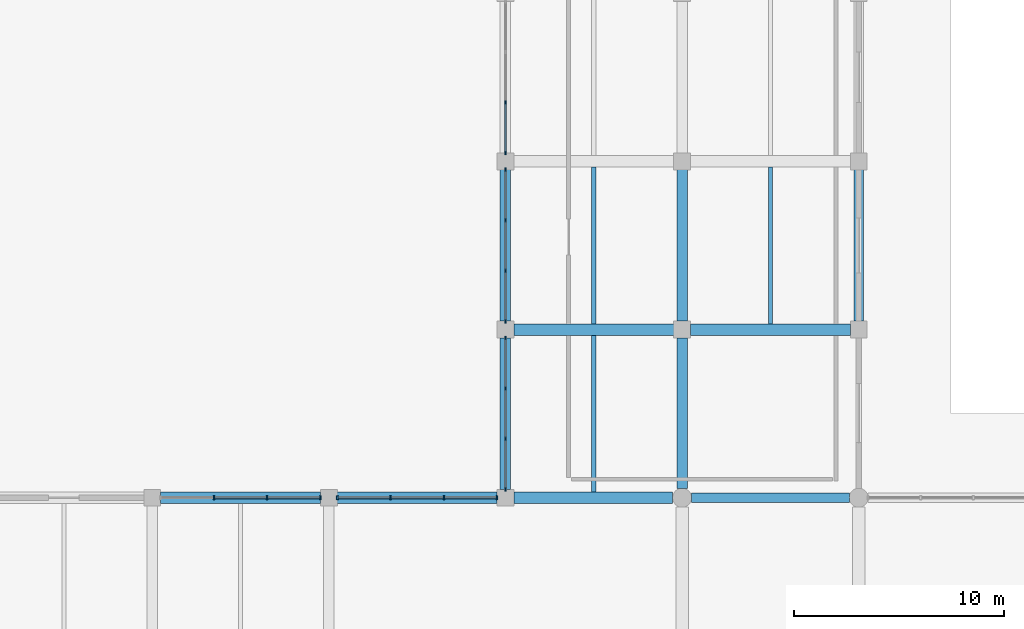
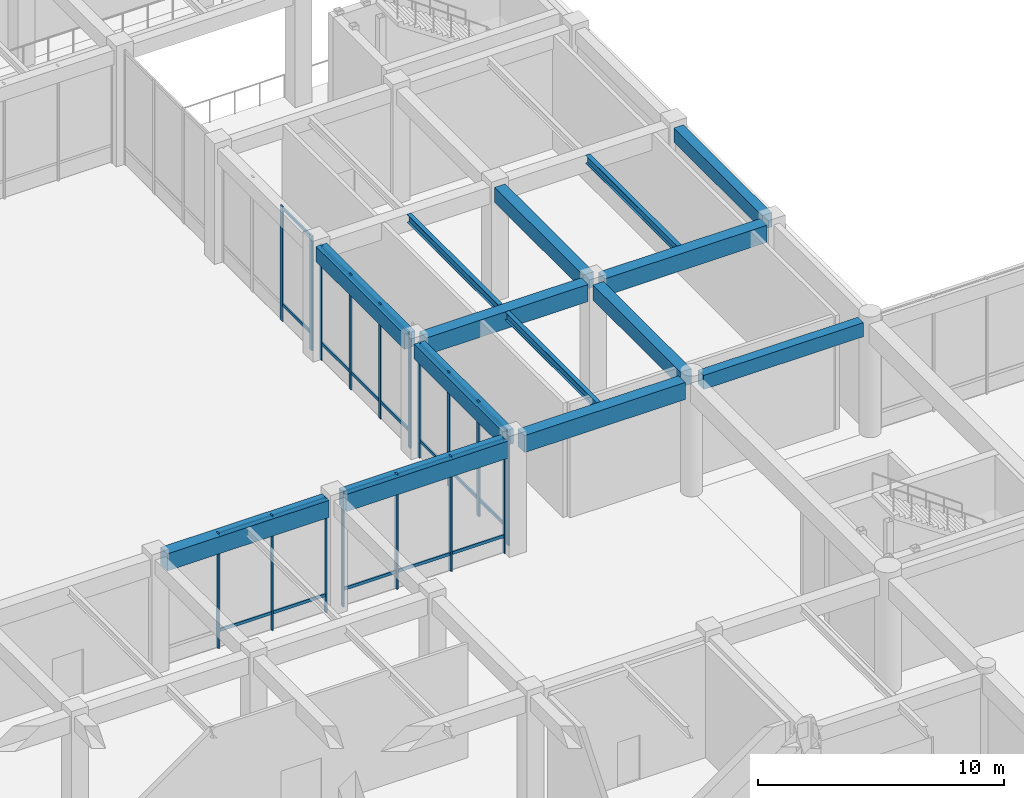
# One storey, part 26 of 76: 41 members, 14 beams, 5 elements without a shape of their own.
"""IFC4 building model written with IfcOpenShell, lengths in metres."""

from ifc_helpers import new_model, si_unit, direction, frame, origin, origin_2d, place, context, subcontext, project, spatial, rectangle, i_section, extrude, material, layer, layer_set, material_profile, profile_set, type_object, element, aggregate, save


model = new_model("IFC4")

# Units and contexts
model_context = context("Model", 3, precision=1e-05, world=origin(), true_north=direction((0.0, 1.0)))
body_context = subcontext(model_context, "Body", "Model", "MODEL_VIEW")
ifc_project = project(units=[si_unit("LENGTHUNIT", "METRE"), si_unit("AREAUNIT", "SQUARE_METRE"), si_unit("VOLUMEUNIT", "CUBIC_METRE"), si_unit("PLANEANGLEUNIT", "RADIAN"), si_unit("MASSUNIT", "GRAM", prefix="KILO")], contexts=[model_context])

# Site, building, storey
site_placement = place(None, origin())
site = spatial("IfcSite", under=ifc_project, at=site_placement, CompositionType="ELEMENT")
building_placement = place(site_placement, origin())
building = spatial("IfcBuilding", under=site, at=building_placement, Name="Naruveol Harbour Congress Hotel", CompositionType="ELEMENT")
storey_placement = place(building_placement, origin())
storey = spatial("IfcBuildingStorey", under=building, at=storey_placement, Name="L00", CompositionType="ELEMENT", Elevation=0.0)

# Beams
ifc_material_1 = material(Name="Concrete C40/50", Category="concrete")
ifc_material_profile_1 = material_profile(ifc_material_1, rectangle(XDim=0.5, YDim=0.75, at=origin_2d()), Name="RCB-500x750")
ifc_profile_set_1 = profile_set([ifc_material_profile_1], Name="Concrete C40/50")
beam_type_1 = type_object("IfcBeamType", Name="RC FLOOR GIRDER 500X750", PredefinedType="BEAM", material=ifc_profile_set_1)
for number, where, z_axis, x_axis, name in (
    (1, (109.199951171875, 32.39599609375, 5.324951171875), (0.0, 1.0, 0.0), (-1.0, 0.0, 0.0), "Transverse girder L01 CB3"),
    (2, (109.199951171875, 40.39599609375, 5.324951171875), (0.0, 1.0, 0.0), (-1.0, 0.0, 0.0), "Transverse girder L01 CB3"),
):
    element("IfcBeam", number, at=place(storey_placement, frame(where, z_axis=z_axis, x_axis=x_axis)), inside=storey, type_object=beam_type_1, Name=name, PredefinedType="BEAM", context=body_context, shape_type="SweptSolid", body=[
        extrude(rectangle(XDim=0.5, YDim=0.75, at=origin_2d()), origin(), (0.0, 0.0, 1.0), 7.2080078125),
    ])
beam_1_placement = place(storey_placement, frame((117.60009765625, 32.446044921875, 5.324951171875), z_axis=(0.0, 1.0, 0.0), x_axis=(-1.0, 0.0, 0.0)))
element("IfcBeam", 3, at=beam_1_placement, inside=storey, type_object=beam_type_1, Name="Transverse girder L01 CB3", PredefinedType="BEAM", context=body_context, shape_type="SweptSolid", body=[
    extrude(rectangle(XDim=0.5, YDim=0.75, at=origin_2d()), origin(), (0.0, 0.0, 1.0), 7.157958984375),
])
beam_2_placement = place(storey_placement, frame((117.60009765625, 40.39599609375, 5.324951171875), z_axis=(0.0, 1.0, 0.0), x_axis=(-1.0, 0.0, 0.0)))
element("IfcBeam", 4, at=beam_2_placement, inside=storey, type_object=beam_type_1, Name="Transverse girder L01 CB3", PredefinedType="BEAM", context=body_context, shape_type="SweptSolid", body=[
    extrude(rectangle(XDim=0.5, YDim=0.75, at=origin_2d()), origin(), (0.0, 0.0, 1.0), 7.2080078125),
])
ifc_material_2 = material(Name="Concrete C40/50", Category="concrete")
ifc_material_profile_2 = material_profile(ifc_material_2, rectangle(XDim=0.550048828125, YDim=0.85009765625, at=origin_2d()), Name="RCB-550x850")
ifc_profile_set_2 = profile_set([ifc_material_profile_2], Name="Concrete C40/50")
beam_type_2 = type_object("IfcBeamType", Name="RC PRIMARY GIRDER 550X850", PredefinedType="BEAM", material=ifc_profile_set_2)
beam_3_placement = place(storey_placement, frame((92.7958984375, 32.0, 5.27490234375), z_axis=(1.0, 0.0, 0.0), x_axis=(0.0, 1.0, 0.0)))
element("IfcBeam", 5, at=beam_3_placement, inside=storey, type_object=beam_type_2, Name="Floor girder L01 CB2", PredefinedType="BEAM", context=body_context, shape_type="SweptSolid", body=[
    extrude(rectangle(XDim=0.550048828125, YDim=0.85009765625, at=origin_2d()), origin(), (0.0, 0.0, 1.0), 7.608154296875),
])
beam_4_placement = place(storey_placement, frame((101.196044921875, 32.0, 5.27490234375), z_axis=(1.0, 0.0, 0.0), x_axis=(0.0, 1.0, 0.0)))
element("IfcBeam", 6, at=beam_4_placement, inside=storey, type_object=beam_type_2, Name="Floor girder L01 CB2", PredefinedType="BEAM", context=body_context, shape_type="SweptSolid", body=[
    extrude(rectangle(XDim=0.550048828125, YDim=0.85009765625, at=origin_2d()), origin(), (0.0, 0.0, 1.0), 7.60791015625),
])
beam_5_placement = place(storey_placement, frame((109.595947265625, 32.0, 5.27490234375), z_axis=(1.0, 0.0, 0.0), x_axis=(0.0, 1.0, 0.0)))
element("IfcBeam", 7, at=beam_5_placement, inside=storey, type_object=beam_type_2, Name="Floor girder L01 CB2", PredefinedType="BEAM", context=body_context, shape_type="SweptSolid", body=[
    extrude(rectangle(XDim=0.550048828125, YDim=0.85009765625, at=origin_2d()), origin(), (0.0, 0.0, 1.0), 7.55810546875),
])
beam_6_placement = place(storey_placement, frame((109.595947265625, 40.0, 5.27490234375), z_axis=(1.0, 0.0, 0.0), x_axis=(0.0, 1.0, 0.0)))
element("IfcBeam", 8, at=beam_6_placement, inside=storey, type_object=beam_type_2, Name="Floor girder L01 CB2", PredefinedType="BEAM", context=body_context, shape_type="SweptSolid", body=[
    extrude(rectangle(XDim=0.550048828125, YDim=0.85009765625, at=origin_2d()), origin(), (0.0, 0.0, 1.0), 7.608154296875),
])
beam_7_placement = place(storey_placement, frame((117.99609375, 40.0, 5.27490234375), z_axis=(1.0, 0.0, 0.0), x_axis=(0.0, 1.0, 0.0)))
element("IfcBeam", 9, at=beam_7_placement, inside=storey, type_object=beam_type_2, Name="Floor girder L01 CB2", PredefinedType="BEAM", context=body_context, shape_type="SweptSolid", body=[
    extrude(rectangle(XDim=0.550048828125, YDim=0.85009765625, at=origin_2d()), origin(), (0.0, 0.0, 1.0), 7.60791015625),
])
ifc_material_3 = material(Name="Concrete C40/50", Category="concrete")
ifc_material_profile_3 = material_profile(ifc_material_3, rectangle(XDim=0.449951171875, YDim=0.699951171875, at=origin_2d()), Name="RCB-450x700")
ifc_profile_set_3 = profile_set([ifc_material_profile_3], Name="Concrete C40/50")
beam_type_3 = type_object("IfcBeamType", Name="RC SPANDREL BEAM 450X700", PredefinedType="SPANDREL", material=ifc_profile_set_3)
beam_8_placement = place(storey_placement, frame((126.0, 40.39599609375, 5.35009765625), z_axis=(0.0, 1.0, 0.0), x_axis=(-1.0, 0.0, 0.0)))
element("IfcBeam", 10, at=beam_8_placement, inside=storey, type_object=beam_type_3, Name="Transverse girder L01 SPB1", PredefinedType="SPANDREL", context=body_context, shape_type="SweptSolid", body=[
    extrude(rectangle(XDim=0.449951171875, YDim=0.699951171875, at=origin_2d()), origin(), (0.0, 0.0, 1.0), 7.2080078125),
])
beam_9_placement = place(storey_placement, frame((118.0458984375, 32.0, 5.35009765625), z_axis=(1.0, 0.0, 0.0), x_axis=(0.0, 1.0, 0.0)))
element("IfcBeam", 11, at=beam_9_placement, inside=storey, type_object=beam_type_3, Name="Hotel chord beam L01 SPB1", PredefinedType="SPANDREL", context=body_context, shape_type="SweptSolid", body=[
    extrude(rectangle(XDim=0.449951171875, YDim=0.699951171875, at=origin_2d()), origin(), (0.0, 0.0, 1.0), 7.508056640625),
])
ifc_material_4 = material(Name="Steel SN490", Category="steel")
ifc_material_profile_4 = material_profile(ifc_material_4, i_section(OverallWidth=0.199951171875, OverallDepth=0.39990234375, WebThickness=0.008056640625, FlangeThickness=0.012939453125, at=origin_2d()), Name="H-400x200x8x13")
ifc_profile_set_4 = profile_set([ifc_material_profile_4], Name="Steel SN490")
beam_type_4 = type_object("IfcBeamType", Name="STEEL SECONDARY JOIST H400", PredefinedType="JOIST", material=ifc_profile_set_4)
for number, where, z_axis, x_axis, name in (
    (12, (113.39990234375, 32.27099609375, 5.5), (0.0, 1.0, 0.0), (-1.0, 0.0, 0.0), "Secondary floor joist L01 SJ1"),
    (13, (113.39990234375, 40.27099609375, 5.5), (0.0, 1.0, 0.0), (-1.0, 0.0, 0.0), "Secondary floor joist L01 SJ1"),
    (14, (121.800048828125, 40.27099609375, 5.5), (0.0, 1.0, 0.0), (-1.0, 0.0, 0.0), "Secondary floor joist L01 SJ1"),
):
    element("IfcBeam", number, at=place(storey_placement, frame(where, z_axis=z_axis, x_axis=x_axis)), inside=storey, type_object=beam_type_4, Name=name, PredefinedType="JOIST", context=body_context, shape_type="SweptSolid", body=[
        extrude(i_section(OverallWidth=0.199951171875, OverallDepth=0.39990234375, WebThickness=0.008056640625, FlangeThickness=0.012939453125, at=origin_2d()), origin(), (0.0, 0.0, 1.0), 7.4580078125),
    ])

# Curtain wall, members
ifc_material_5 = material(Name="Low-E Curtain Wall System", Category="glass")
ifc_layer_1 = layer(ifc_material_5, 0.179931640625)
ifc_layer_set_1 = layer_set([ifc_layer_1], Name="Low-E Curtain Wall System")
curtain_wall_type_1 = type_object("IfcCurtainWallType", Name="UNITISED CURTAIN WALL CW-CTS-27 7600X5700", PredefinedType="USERDEFINED", material=ifc_layer_set_1)
curtain_wall_1_placement = place(storey_placement, origin())
curtain_wall_1 = element("IfcCurtainWall", 15, at=curtain_wall_1_placement, inside=storey, type_object=curtain_wall_type_1, Name="Unitised curtain wall CW-CTS-27 L00", ObjectType="UNITISED GLAZING", PredefinedType="USERDEFINED")
ifc_material_6 = material(Name="Anodised Aluminium 6063-T6", Category="aluminium")
ifc_material_profile_5 = material_profile(ifc_material_6, rectangle(XDim=0.074951171875, YDim=0.179931640625, at=origin_2d()), Name="ALU-75x180")
ifc_profile_set_5 = profile_set([ifc_material_profile_5], Name="Anodised Aluminium 6063-T6")
member_type_1 = type_object("IfcMemberType", Name="THERMAL ALUMINIUM MULLION 75X180", PredefinedType="MULLION", material=ifc_profile_set_5)
member_1_placement = place(storey_placement, frame((95.333251953125, 32.0, 0.0), z_axis=(0.0, 0.0, 1.0), x_axis=(1.0, 0.0, 0.0)))
member_1 = element("IfcMember", 16, at=member_1_placement, type_object=member_type_1, Name="Curtain wall mullion CW-L00-0060-M1", PredefinedType="MULLION", context=body_context, shape_type="SweptSolid", body=[
    extrude(rectangle(XDim=0.074951171875, YDim=0.179931640625, at=origin_2d()), origin(), (0.0, 0.0, 1.0), 5.699951171875),
])
member_2_placement = place(storey_placement, frame((97.86669921875, 32.0, 0.0), z_axis=(0.0, 0.0, 1.0), x_axis=(1.0, 0.0, 0.0)))
member_2 = element("IfcMember", 17, at=member_2_placement, type_object=member_type_1, Name="Curtain wall mullion CW-L00-0060-M2", PredefinedType="MULLION", context=body_context, shape_type="SweptSolid", body=[
    extrude(rectangle(XDim=0.074951171875, YDim=0.179931640625, at=origin_2d()), origin(), (0.0, 0.0, 1.0), 5.699951171875),
])
member_3_placement = place(storey_placement, frame((100.39990234375, 32.0, 0.0), z_axis=(0.0, 0.0, 1.0), x_axis=(1.0, 0.0, 0.0)))
member_3 = element("IfcMember", 18, at=member_3_placement, type_object=member_type_1, Name="Curtain wall mullion CW-L00-0060-M3", PredefinedType="MULLION", context=body_context, shape_type="SweptSolid", body=[
    extrude(rectangle(XDim=0.074951171875, YDim=0.179931640625, at=origin_2d()), origin(), (0.0, 0.0, 1.0), 5.699951171875),
])

curtain_wall_2_placement = place(storey_placement, origin())
curtain_wall_2 = element("IfcCurtainWall", 19, at=curtain_wall_2_placement, inside=storey, type_object=curtain_wall_type_1, Name="Unitised curtain wall CW-CTS-27 L00", ObjectType="UNITISED GLAZING", PredefinedType="USERDEFINED")
member_4_placement = place(storey_placement, frame((101.199951171875, 32.0, 0.0), z_axis=(0.0, 0.0, 1.0), x_axis=(1.0, 0.0, 0.0)))
member_4 = element("IfcMember", 20, at=member_4_placement, type_object=member_type_1, Name="Curtain wall mullion CW-L00-0062-M0", PredefinedType="MULLION", context=body_context, shape_type="SweptSolid", body=[
    extrude(rectangle(XDim=0.074951171875, YDim=0.179931640625, at=origin_2d()), origin(), (0.0, 0.0, 1.0), 5.699951171875),
])
member_5_placement = place(storey_placement, frame((103.7333984375, 32.0, 0.0), z_axis=(0.0, 0.0, 1.0), x_axis=(1.0, 0.0, 0.0)))
member_5 = element("IfcMember", 21, at=member_5_placement, type_object=member_type_1, Name="Curtain wall mullion CW-L00-0062-M1", PredefinedType="MULLION", context=body_context, shape_type="SweptSolid", body=[
    extrude(rectangle(XDim=0.074951171875, YDim=0.179931640625, at=origin_2d()), origin(), (0.0, 0.0, 1.0), 5.699951171875),
])
member_6_placement = place(storey_placement, frame((106.2666015625, 32.0, 0.0), z_axis=(0.0, 0.0, 1.0), x_axis=(1.0, 0.0, 0.0)))
member_6 = element("IfcMember", 22, at=member_6_placement, type_object=member_type_1, Name="Curtain wall mullion CW-L00-0062-M2", PredefinedType="MULLION", context=body_context, shape_type="SweptSolid", body=[
    extrude(rectangle(XDim=0.074951171875, YDim=0.179931640625, at=origin_2d()), origin(), (0.0, 0.0, 1.0), 5.699951171875),
])
member_7_placement = place(storey_placement, frame((108.800048828125, 32.0, 0.0), z_axis=(0.0, 0.0, 1.0), x_axis=(1.0, 0.0, 0.0)))
member_7 = element("IfcMember", 23, at=member_7_placement, type_object=member_type_1, Name="Curtain wall mullion CW-L00-0062-M3", PredefinedType="MULLION", context=body_context, shape_type="SweptSolid", body=[
    extrude(rectangle(XDim=0.074951171875, YDim=0.179931640625, at=origin_2d()), origin(), (0.0, 0.0, 1.0), 5.699951171875),
])

ifc_material_7 = material(Name="Low-E Curtain Wall System", Category="glass")
ifc_layer_2 = layer(ifc_material_7, 0.179931640625)
ifc_layer_set_2 = layer_set([ifc_layer_2], Name="Low-E Curtain Wall System")
curtain_wall_type_2 = type_object("IfcCurtainWallType", Name="UNITISED CURTAIN WALL CW-CTE-29 7200X5700", PredefinedType="USERDEFINED", material=ifc_layer_set_2)
curtain_wall_3_placement = place(storey_placement, origin())
curtain_wall_3 = element("IfcCurtainWall", 24, at=curtain_wall_3_placement, inside=storey, type_object=curtain_wall_type_2, Name="Unitised curtain wall CW-CTE-29 L00", ObjectType="UNITISED GLAZING", PredefinedType="USERDEFINED")
member_8_placement = place(storey_placement, frame((109.199951171875, 39.60009765625, 0.0), z_axis=(0.0, 0.0, 1.0), x_axis=(1.0, 0.0, 0.0)))
member_8 = element("IfcMember", 25, at=member_8_placement, type_object=member_type_1, Name="Curtain wall mullion CW-L00-0064-M0", PredefinedType="MULLION", context=body_context, shape_type="SweptSolid", body=[
    extrude(rectangle(XDim=0.074951171875, YDim=0.179931640625, at=origin_2d()), origin(), (0.0, 0.0, 1.0), 5.699951171875),
])
member_9_placement = place(storey_placement, frame((109.199951171875, 37.199951171875, 0.0), z_axis=(0.0, 0.0, 1.0), x_axis=(1.0, 0.0, 0.0)))
member_9 = element("IfcMember", 26, at=member_9_placement, type_object=member_type_1, Name="Curtain wall mullion CW-L00-0064-M1", PredefinedType="MULLION", context=body_context, shape_type="SweptSolid", body=[
    extrude(rectangle(XDim=0.074951171875, YDim=0.179931640625, at=origin_2d()), origin(), (0.0, 0.0, 1.0), 5.699951171875),
])
member_10_placement = place(storey_placement, frame((109.199951171875, 34.800048828125, 0.0), z_axis=(0.0, 0.0, 1.0), x_axis=(1.0, 0.0, 0.0)))
member_10 = element("IfcMember", 27, at=member_10_placement, type_object=member_type_1, Name="Curtain wall mullion CW-L00-0064-M2", PredefinedType="MULLION", context=body_context, shape_type="SweptSolid", body=[
    extrude(rectangle(XDim=0.074951171875, YDim=0.179931640625, at=origin_2d()), origin(), (0.0, 0.0, 1.0), 5.699951171875),
])
member_11_placement = place(storey_placement, frame((109.199951171875, 32.39990234375, 0.0), z_axis=(0.0, 0.0, 1.0), x_axis=(1.0, 0.0, 0.0)))
member_11 = element("IfcMember", 28, at=member_11_placement, type_object=member_type_1, Name="Curtain wall mullion CW-L00-0064-M3", PredefinedType="MULLION", context=body_context, shape_type="SweptSolid", body=[
    extrude(rectangle(XDim=0.074951171875, YDim=0.179931640625, at=origin_2d()), origin(), (0.0, 0.0, 1.0), 5.699951171875),
])

curtain_wall_4_placement = place(storey_placement, origin())
curtain_wall_4 = element("IfcCurtainWall", 29, at=curtain_wall_4_placement, inside=storey, type_object=curtain_wall_type_2, Name="Unitised curtain wall CW-CTE-29 L00", ObjectType="UNITISED GLAZING", PredefinedType="USERDEFINED")
member_12_placement = place(storey_placement, frame((109.199951171875, 47.60009765625, 0.0), z_axis=(0.0, 0.0, 1.0), x_axis=(1.0, 0.0, 0.0)))
member_12 = element("IfcMember", 30, at=member_12_placement, type_object=member_type_1, Name="Curtain wall mullion CW-L00-0066-M0", PredefinedType="MULLION", context=body_context, shape_type="SweptSolid", body=[
    extrude(rectangle(XDim=0.074951171875, YDim=0.179931640625, at=origin_2d()), origin(), (0.0, 0.0, 1.0), 5.699951171875),
])
member_13_placement = place(storey_placement, frame((109.199951171875, 45.199951171875, 0.0), z_axis=(0.0, 0.0, 1.0), x_axis=(1.0, 0.0, 0.0)))
member_13 = element("IfcMember", 31, at=member_13_placement, type_object=member_type_1, Name="Curtain wall mullion CW-L00-0066-M1", PredefinedType="MULLION", context=body_context, shape_type="SweptSolid", body=[
    extrude(rectangle(XDim=0.074951171875, YDim=0.179931640625, at=origin_2d()), origin(), (0.0, 0.0, 1.0), 5.699951171875),
])
member_14_placement = place(storey_placement, frame((109.199951171875, 42.800048828125, 0.0), z_axis=(0.0, 0.0, 1.0), x_axis=(1.0, 0.0, 0.0)))
member_14 = element("IfcMember", 32, at=member_14_placement, type_object=member_type_1, Name="Curtain wall mullion CW-L00-0066-M2", PredefinedType="MULLION", context=body_context, shape_type="SweptSolid", body=[
    extrude(rectangle(XDim=0.074951171875, YDim=0.179931640625, at=origin_2d()), origin(), (0.0, 0.0, 1.0), 5.699951171875),
])
member_15_placement = place(storey_placement, frame((109.199951171875, 40.39990234375, 0.0), z_axis=(0.0, 0.0, 1.0), x_axis=(1.0, 0.0, 0.0)))
member_15 = element("IfcMember", 33, at=member_15_placement, type_object=member_type_1, Name="Curtain wall mullion CW-L00-0066-M3", PredefinedType="MULLION", context=body_context, shape_type="SweptSolid", body=[
    extrude(rectangle(XDim=0.074951171875, YDim=0.179931640625, at=origin_2d()), origin(), (0.0, 0.0, 1.0), 5.699951171875),
])

curtain_wall_5_placement = place(storey_placement, origin())
curtain_wall_5 = element("IfcCurtainWall", 34, at=curtain_wall_5_placement, inside=storey, type_object=curtain_wall_type_2, Name="Unitised curtain wall CW-CTE-29 L00", ObjectType="UNITISED GLAZING", PredefinedType="USERDEFINED")
member_16_placement = place(storey_placement, frame((109.199951171875, 50.800048828125, 0.0), z_axis=(0.0, 0.0, 1.0), x_axis=(1.0, 0.0, 0.0)))
member_16 = element("IfcMember", 35, at=member_16_placement, type_object=member_type_1, Name="Curtain wall mullion CW-L00-0068-M2", PredefinedType="MULLION", context=body_context, shape_type="SweptSolid", body=[
    extrude(rectangle(XDim=0.074951171875, YDim=0.179931640625, at=origin_2d()), origin(), (0.0, 0.0, 1.0), 5.699951171875),
])
member_17_placement = place(storey_placement, frame((109.199951171875, 48.39990234375, 0.0), z_axis=(0.0, 0.0, 1.0), x_axis=(1.0, 0.0, 0.0)))
member_17 = element("IfcMember", 36, at=member_17_placement, type_object=member_type_1, Name="Curtain wall mullion CW-L00-0068-M3", PredefinedType="MULLION", context=body_context, shape_type="SweptSolid", body=[
    extrude(rectangle(XDim=0.074951171875, YDim=0.179931640625, at=origin_2d()), origin(), (0.0, 0.0, 1.0), 5.699951171875),
])

# Member
ifc_material_8 = material(Name="Anodised Aluminium 6063-T6", Category="aluminium")
ifc_material_profile_6 = material_profile(ifc_material_8, rectangle(XDim=0.074951171875, YDim=0.14990234375, at=origin_2d()), Name="ALU-75x150")
ifc_profile_set_6 = profile_set([ifc_material_profile_6], Name="Anodised Aluminium 6063-T6")
member_type_2 = type_object("IfcMemberType", Name="THERMAL ALUMINIUM TRANSOM 75X150", PredefinedType="USERDEFINED", material=ifc_profile_set_6)
member_18_placement = place(storey_placement, frame((95.373291015625, 32.0, 0.85009765625), z_axis=(1.0, 0.0, 0.0), x_axis=(0.0, 1.0, 0.0)))
member_18 = element("IfcMember", 37, at=member_18_placement, type_object=member_type_2, Name="Curtain wall transom CW-L00-0060-T1.1", ObjectType="TRANSOM", PredefinedType="USERDEFINED", context=body_context, shape_type="SweptSolid", body=[
    extrude(rectangle(XDim=0.074951171875, YDim=0.14990234375, at=origin_2d()), origin(), (0.0, 0.0, 1.0), 2.453369140625),
])

member_19_placement = place(storey_placement, frame((95.373291015625, 32.0, 5.6201171875), z_axis=(1.0, 0.0, 0.0), x_axis=(0.0, 1.0, 0.0)))
member_19 = element("IfcMember", 38, at=member_19_placement, type_object=member_type_2, Name="Curtain wall transom CW-L00-0060-T1.2", ObjectType="TRANSOM", PredefinedType="USERDEFINED", context=body_context, shape_type="SweptSolid", body=[
    extrude(rectangle(XDim=0.074951171875, YDim=0.14990234375, at=origin_2d()), origin(), (0.0, 0.0, 1.0), 2.453369140625),
])

member_20_placement = place(storey_placement, frame((97.90673828125, 32.0, 0.85009765625), z_axis=(1.0, 0.0, 0.0), x_axis=(0.0, 1.0, 0.0)))
member_20 = element("IfcMember", 39, at=member_20_placement, type_object=member_type_2, Name="Curtain wall transom CW-L00-0060-T2.1", ObjectType="TRANSOM", PredefinedType="USERDEFINED", context=body_context, shape_type="SweptSolid", body=[
    extrude(rectangle(XDim=0.074951171875, YDim=0.14990234375, at=origin_2d()), origin(), (0.0, 0.0, 1.0), 2.453369140625),
])

member_21_placement = place(storey_placement, frame((97.90673828125, 32.0, 5.6201171875), z_axis=(1.0, 0.0, 0.0), x_axis=(0.0, 1.0, 0.0)))
member_21 = element("IfcMember", 40, at=member_21_placement, type_object=member_type_2, Name="Curtain wall transom CW-L00-0060-T2.2", ObjectType="TRANSOM", PredefinedType="USERDEFINED", context=body_context, shape_type="SweptSolid", body=[
    extrude(rectangle(XDim=0.074951171875, YDim=0.14990234375, at=origin_2d()), origin(), (0.0, 0.0, 1.0), 2.453369140625),
])

aggregate(curtain_wall_1, [member_1, member_2, member_3, member_18, member_19, member_20, member_21])

member_22_placement = place(storey_placement, frame((101.239990234375, 32.0, 0.85009765625), z_axis=(1.0, 0.0, 0.0), x_axis=(0.0, 1.0, 0.0)))
member_22 = element("IfcMember", 41, at=member_22_placement, type_object=member_type_2, Name="Curtain wall transom CW-L00-0062-T0.1", ObjectType="TRANSOM", PredefinedType="USERDEFINED", context=body_context, shape_type="SweptSolid", body=[
    extrude(rectangle(XDim=0.074951171875, YDim=0.14990234375, at=origin_2d()), origin(), (0.0, 0.0, 1.0), 2.453369140625),
])

member_23_placement = place(storey_placement, frame((101.239990234375, 32.0, 5.6201171875), z_axis=(1.0, 0.0, 0.0), x_axis=(0.0, 1.0, 0.0)))
member_23 = element("IfcMember", 42, at=member_23_placement, type_object=member_type_2, Name="Curtain wall transom CW-L00-0062-T0.2", ObjectType="TRANSOM", PredefinedType="USERDEFINED", context=body_context, shape_type="SweptSolid", body=[
    extrude(rectangle(XDim=0.074951171875, YDim=0.14990234375, at=origin_2d()), origin(), (0.0, 0.0, 1.0), 2.453369140625),
])

member_24_placement = place(storey_placement, frame((103.773193359375, 32.0, 0.85009765625), z_axis=(1.0, 0.0, 0.0), x_axis=(0.0, 1.0, 0.0)))
member_24 = element("IfcMember", 43, at=member_24_placement, type_object=member_type_2, Name="Curtain wall transom CW-L00-0062-T1.1", ObjectType="TRANSOM", PredefinedType="USERDEFINED", context=body_context, shape_type="SweptSolid", body=[
    extrude(rectangle(XDim=0.074951171875, YDim=0.14990234375, at=origin_2d()), origin(), (0.0, 0.0, 1.0), 2.45361328125),
])

member_25_placement = place(storey_placement, frame((103.773193359375, 32.0, 5.6201171875), z_axis=(1.0, 0.0, 0.0), x_axis=(0.0, 1.0, 0.0)))
member_25 = element("IfcMember", 44, at=member_25_placement, type_object=member_type_2, Name="Curtain wall transom CW-L00-0062-T1.2", ObjectType="TRANSOM", PredefinedType="USERDEFINED", context=body_context, shape_type="SweptSolid", body=[
    extrude(rectangle(XDim=0.074951171875, YDim=0.14990234375, at=origin_2d()), origin(), (0.0, 0.0, 1.0), 2.45361328125),
])

member_26_placement = place(storey_placement, frame((106.306640625, 32.0, 0.85009765625), z_axis=(1.0, 0.0, 0.0), x_axis=(0.0, 1.0, 0.0)))
member_26 = element("IfcMember", 45, at=member_26_placement, type_object=member_type_2, Name="Curtain wall transom CW-L00-0062-T2.1", ObjectType="TRANSOM", PredefinedType="USERDEFINED", context=body_context, shape_type="SweptSolid", body=[
    extrude(rectangle(XDim=0.074951171875, YDim=0.14990234375, at=origin_2d()), origin(), (0.0, 0.0, 1.0), 2.453369140625),
])

member_27_placement = place(storey_placement, frame((106.306640625, 32.0, 5.6201171875), z_axis=(1.0, 0.0, 0.0), x_axis=(0.0, 1.0, 0.0)))
member_27 = element("IfcMember", 46, at=member_27_placement, type_object=member_type_2, Name="Curtain wall transom CW-L00-0062-T2.2", ObjectType="TRANSOM", PredefinedType="USERDEFINED", context=body_context, shape_type="SweptSolid", body=[
    extrude(rectangle(XDim=0.074951171875, YDim=0.14990234375, at=origin_2d()), origin(), (0.0, 0.0, 1.0), 2.453369140625),
])

aggregate(curtain_wall_2, [member_4, member_5, member_6, member_7, member_22, member_23, member_24, member_25, member_26, member_27])

member_28_placement = place(storey_placement, frame((109.199951171875, 39.56005859375, 0.85009765625), z_axis=(0.0, -1.0, 0.0), x_axis=(1.0, 0.0, 0.0)))
member_28 = element("IfcMember", 47, at=member_28_placement, type_object=member_type_2, Name="Curtain wall transom CW-L00-0064-T0.1", ObjectType="TRANSOM", PredefinedType="USERDEFINED", context=body_context, shape_type="SweptSolid", body=[
    extrude(rectangle(XDim=0.074951171875, YDim=0.14990234375, at=origin_2d()), origin(), (0.0, 0.0, 1.0), 2.320068359375),
])

member_29_placement = place(storey_placement, frame((109.199951171875, 39.56005859375, 5.6201171875), z_axis=(0.0, -1.0, 0.0), x_axis=(1.0, 0.0, 0.0)))
member_29 = element("IfcMember", 48, at=member_29_placement, type_object=member_type_2, Name="Curtain wall transom CW-L00-0064-T0.2", ObjectType="TRANSOM", PredefinedType="USERDEFINED", context=body_context, shape_type="SweptSolid", body=[
    extrude(rectangle(XDim=0.074951171875, YDim=0.14990234375, at=origin_2d()), origin(), (0.0, 0.0, 1.0), 2.320068359375),
])

member_30_placement = place(storey_placement, frame((109.199951171875, 37.159912109375, 0.85009765625), z_axis=(0.0, -1.0, 0.0), x_axis=(1.0, 0.0, 0.0)))
member_30 = element("IfcMember", 49, at=member_30_placement, type_object=member_type_2, Name="Curtain wall transom CW-L00-0064-T1.1", ObjectType="TRANSOM", PredefinedType="USERDEFINED", context=body_context, shape_type="SweptSolid", body=[
    extrude(rectangle(XDim=0.074951171875, YDim=0.14990234375, at=origin_2d()), origin(), (0.0, 0.0, 1.0), 2.31982421875),
])

member_31_placement = place(storey_placement, frame((109.199951171875, 37.159912109375, 5.6201171875), z_axis=(0.0, -1.0, 0.0), x_axis=(1.0, 0.0, 0.0)))
member_31 = element("IfcMember", 50, at=member_31_placement, type_object=member_type_2, Name="Curtain wall transom CW-L00-0064-T1.2", ObjectType="TRANSOM", PredefinedType="USERDEFINED", context=body_context, shape_type="SweptSolid", body=[
    extrude(rectangle(XDim=0.074951171875, YDim=0.14990234375, at=origin_2d()), origin(), (0.0, 0.0, 1.0), 2.31982421875),
])

member_32_placement = place(storey_placement, frame((109.199951171875, 34.760009765625, 0.85009765625), z_axis=(0.0, -1.0, 0.0), x_axis=(1.0, 0.0, 0.0)))
member_32 = element("IfcMember", 51, at=member_32_placement, type_object=member_type_2, Name="Curtain wall transom CW-L00-0064-T2.1", ObjectType="TRANSOM", PredefinedType="USERDEFINED", context=body_context, shape_type="SweptSolid", body=[
    extrude(rectangle(XDim=0.074951171875, YDim=0.14990234375, at=origin_2d()), origin(), (0.0, 0.0, 1.0), 2.320068359375),
])

member_33_placement = place(storey_placement, frame((109.199951171875, 34.760009765625, 5.6201171875), z_axis=(0.0, -1.0, 0.0), x_axis=(1.0, 0.0, 0.0)))
member_33 = element("IfcMember", 52, at=member_33_placement, type_object=member_type_2, Name="Curtain wall transom CW-L00-0064-T2.2", ObjectType="TRANSOM", PredefinedType="USERDEFINED", context=body_context, shape_type="SweptSolid", body=[
    extrude(rectangle(XDim=0.074951171875, YDim=0.14990234375, at=origin_2d()), origin(), (0.0, 0.0, 1.0), 2.320068359375),
])

aggregate(curtain_wall_3, [member_8, member_9, member_10, member_11, member_28, member_29, member_30, member_31, member_32, member_33])

member_34_placement = place(storey_placement, frame((109.199951171875, 47.56005859375, 0.85009765625), z_axis=(0.0, -1.0, 0.0), x_axis=(1.0, 0.0, 0.0)))
member_34 = element("IfcMember", 53, at=member_34_placement, type_object=member_type_2, Name="Curtain wall transom CW-L00-0066-T0.1", ObjectType="TRANSOM", PredefinedType="USERDEFINED", context=body_context, shape_type="SweptSolid", body=[
    extrude(rectangle(XDim=0.074951171875, YDim=0.14990234375, at=origin_2d()), origin(), (0.0, 0.0, 1.0), 2.320068359375),
])

member_35_placement = place(storey_placement, frame((109.199951171875, 47.56005859375, 5.6201171875), z_axis=(0.0, -1.0, 0.0), x_axis=(1.0, 0.0, 0.0)))
member_35 = element("IfcMember", 54, at=member_35_placement, type_object=member_type_2, Name="Curtain wall transom CW-L00-0066-T0.2", ObjectType="TRANSOM", PredefinedType="USERDEFINED", context=body_context, shape_type="SweptSolid", body=[
    extrude(rectangle(XDim=0.074951171875, YDim=0.14990234375, at=origin_2d()), origin(), (0.0, 0.0, 1.0), 2.320068359375),
])

member_36_placement = place(storey_placement, frame((109.199951171875, 45.159912109375, 0.85009765625), z_axis=(0.0, -1.0, 0.0), x_axis=(1.0, 0.0, 0.0)))
member_36 = element("IfcMember", 55, at=member_36_placement, type_object=member_type_2, Name="Curtain wall transom CW-L00-0066-T1.1", ObjectType="TRANSOM", PredefinedType="USERDEFINED", context=body_context, shape_type="SweptSolid", body=[
    extrude(rectangle(XDim=0.074951171875, YDim=0.14990234375, at=origin_2d()), origin(), (0.0, 0.0, 1.0), 2.31982421875),
])

member_37_placement = place(storey_placement, frame((109.199951171875, 45.159912109375, 5.6201171875), z_axis=(0.0, -1.0, 0.0), x_axis=(1.0, 0.0, 0.0)))
member_37 = element("IfcMember", 56, at=member_37_placement, type_object=member_type_2, Name="Curtain wall transom CW-L00-0066-T1.2", ObjectType="TRANSOM", PredefinedType="USERDEFINED", context=body_context, shape_type="SweptSolid", body=[
    extrude(rectangle(XDim=0.074951171875, YDim=0.14990234375, at=origin_2d()), origin(), (0.0, 0.0, 1.0), 2.31982421875),
])

member_38_placement = place(storey_placement, frame((109.199951171875, 42.760009765625, 0.85009765625), z_axis=(0.0, -1.0, 0.0), x_axis=(1.0, 0.0, 0.0)))
member_38 = element("IfcMember", 57, at=member_38_placement, type_object=member_type_2, Name="Curtain wall transom CW-L00-0066-T2.1", ObjectType="TRANSOM", PredefinedType="USERDEFINED", context=body_context, shape_type="SweptSolid", body=[
    extrude(rectangle(XDim=0.074951171875, YDim=0.14990234375, at=origin_2d()), origin(), (0.0, 0.0, 1.0), 2.320068359375),
])

member_39_placement = place(storey_placement, frame((109.199951171875, 42.760009765625, 5.6201171875), z_axis=(0.0, -1.0, 0.0), x_axis=(1.0, 0.0, 0.0)))
member_39 = element("IfcMember", 58, at=member_39_placement, type_object=member_type_2, Name="Curtain wall transom CW-L00-0066-T2.2", ObjectType="TRANSOM", PredefinedType="USERDEFINED", context=body_context, shape_type="SweptSolid", body=[
    extrude(rectangle(XDim=0.074951171875, YDim=0.14990234375, at=origin_2d()), origin(), (0.0, 0.0, 1.0), 2.320068359375),
])

aggregate(curtain_wall_4, [member_12, member_13, member_14, member_15, member_34, member_35, member_36, member_37, member_38, member_39])

member_40_placement = place(storey_placement, frame((109.199951171875, 50.760009765625, 0.85009765625), z_axis=(0.0, -1.0, 0.0), x_axis=(1.0, 0.0, 0.0)))
member_40 = element("IfcMember", 59, at=member_40_placement, type_object=member_type_2, Name="Curtain wall transom CW-L00-0068-T2.1", ObjectType="TRANSOM", PredefinedType="USERDEFINED", context=body_context, shape_type="SweptSolid", body=[
    extrude(rectangle(XDim=0.074951171875, YDim=0.14990234375, at=origin_2d()), origin(), (0.0, 0.0, 1.0), 2.320068359375),
])

member_41_placement = place(storey_placement, frame((109.199951171875, 50.760009765625, 5.6201171875), z_axis=(0.0, -1.0, 0.0), x_axis=(1.0, 0.0, 0.0)))
member_41 = element("IfcMember", 60, at=member_41_placement, type_object=member_type_2, Name="Curtain wall transom CW-L00-0068-T2.2", ObjectType="TRANSOM", PredefinedType="USERDEFINED", context=body_context, shape_type="SweptSolid", body=[
    extrude(rectangle(XDim=0.074951171875, YDim=0.14990234375, at=origin_2d()), origin(), (0.0, 0.0, 1.0), 2.320068359375),
])

aggregate(curtain_wall_5, [member_16, member_17, member_40, member_41])

save(model, "model.ifc")
